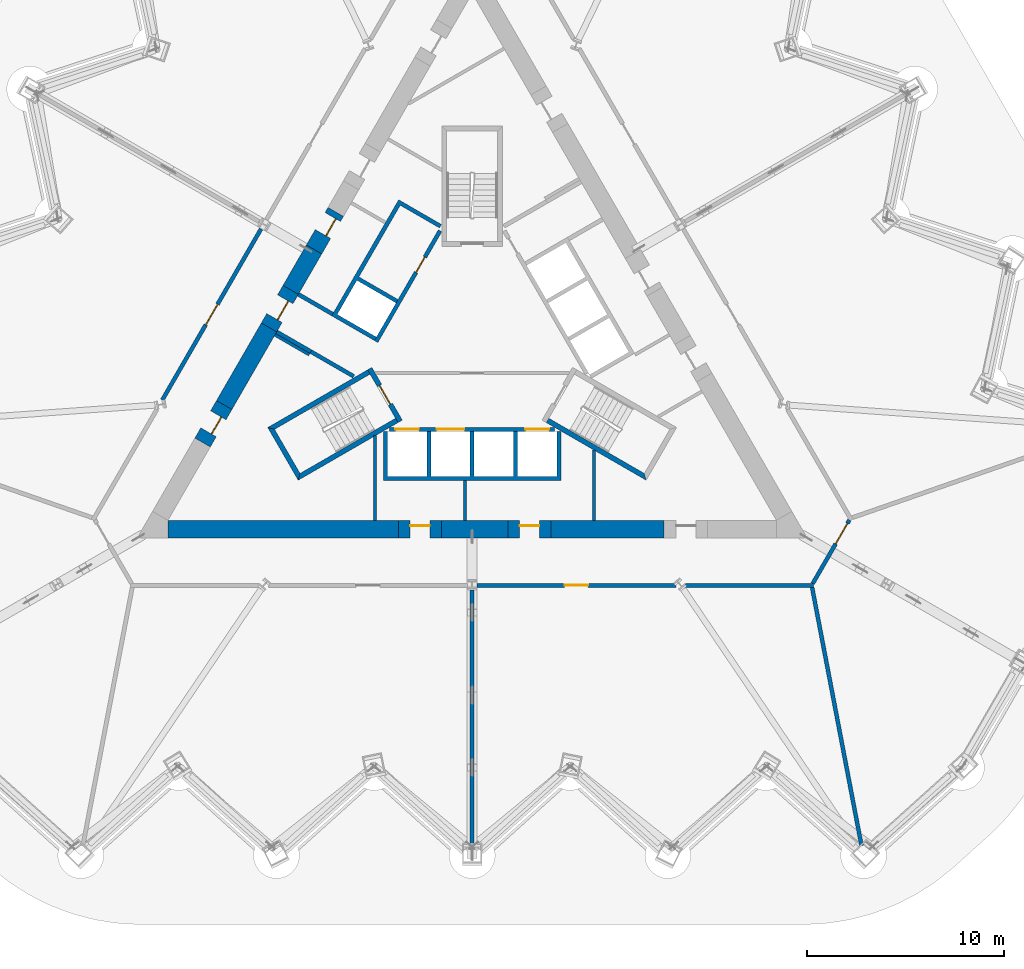
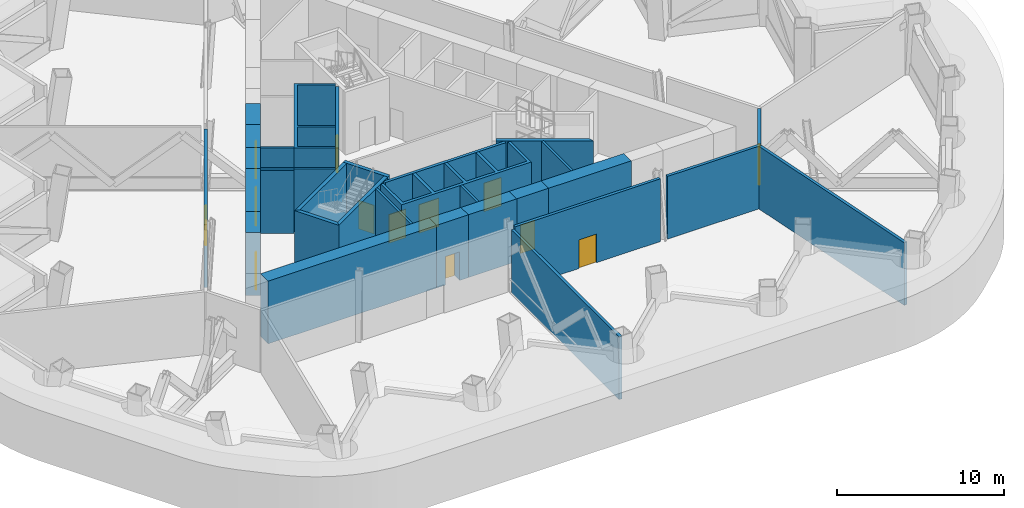
# One storey, part 5 of 14: 32 walls, 13 doors, 13 openings.
"""IFC4 building model written with IfcOpenShell, lengths in metres."""

from ifc_helpers import new_model, si_unit, direction, frame, frame_2d, origin, place, context, subcontext, project, spatial, polyline, rectangle, outline, extrude, material, layer, layer_set, type_object, element, fill, save


model = new_model("IFC4")

# Units and contexts
model_context = context("Model", 3, precision=1e-05, world=origin(), true_north=direction((0.0, 1.0)))
body_context = subcontext(model_context, "Body", "Model", "MODEL_VIEW")
ifc_project = project(units=[si_unit("LENGTHUNIT", "METRE"), si_unit("AREAUNIT", "SQUARE_METRE"), si_unit("VOLUMEUNIT", "CUBIC_METRE"), si_unit("PLANEANGLEUNIT", "RADIAN"), si_unit("MASSUNIT", "GRAM", prefix="KILO")], contexts=[model_context])

# Site, building, storey
site_placement = place(None, origin())
site = spatial("IfcSite", under=ifc_project, at=site_placement, CompositionType="ELEMENT")
building_placement = place(site_placement, origin())
building = spatial("IfcBuilding", under=site, at=building_placement, Name="Cormorant Prow Tower", CompositionType="ELEMENT")
storey_placement = place(building_placement, frame((0.0, 0.0, 94.60009765625)))
storey = spatial("IfcBuildingStorey", under=building, at=storey_placement, Name="L19", CompositionType="ELEMENT", Elevation=94.60009765625)

# Walls
ifc_material_1 = material(Name="Gypsum board partition")
ifc_layer_1 = layer(ifc_material_1, 0.14990234375)
ifc_layer_set_1 = layer_set([ifc_layer_1], Name="Gypsum board partition")
wall_type_1 = type_object("IfcWallType", Name="Core partition 150", PredefinedType="PARTITIONING", material=ifc_layer_set_1)
wall_1_placement = place(storey_placement, frame((-8.268310546875, -0.509033203125, 0.0), z_axis=(0.0, 0.0, 1.0), x_axis=(-0.866035824272, 0.499981950752, 0.0)))
element("IfcWall", 1, at=wall_1_placement, inside=storey, type_object=wall_type_1, Name="Service room partition", PredefinedType="PARTITIONING", context=body_context, shape_type="SweptSolid", body=[
    extrude(rectangle(XDim=2.0087890625, YDim=0.14990234375, at=frame_2d((1.00439453125, 0.0))), origin(), (0.0, 0.0, 1.0), 4.599853515625),
])
wall_2_placement = place(storey_placement, frame((6.176513671875, -8.9150390625, 0.0), z_axis=(0.0, 0.0, 1.0), x_axis=(0.0, 1.0, 0.0)))
element("IfcWall", 2, at=wall_2_placement, inside=storey, type_object=wall_type_1, Name="Service room partition", PredefinedType="PARTITIONING", context=body_context, shape_type="SweptSolid", body=[
    extrude(rectangle(XDim=3.576171875, YDim=0.14990234375, at=frame_2d((1.7880859375, 0.0))), origin(), (0.0, 0.0, 1.0), 4.599853515625),
])
wall_3_placement = place(storey_placement, frame((-0.361328125, -8.9150390625, 0.0), z_axis=(0.0, 0.0, 1.0), x_axis=(0.0, 1.0, 0.0)))
element("IfcWall", 3, at=wall_3_placement, inside=storey, type_object=wall_type_1, Name="Service room partition", PredefinedType="PARTITIONING", context=body_context, shape_type="SweptSolid", body=[
    extrude(rectangle(XDim=2.009033203125, YDim=0.14990234375, at=frame_2d((1.00439453125, 0.0))), origin(), (0.0, 0.0, 1.0), 4.599853515625),
])
wall_4_placement = place(storey_placement, frame((-4.937744140625, -8.9150390625, 0.0), z_axis=(0.0, 0.0, 1.0), x_axis=(0.0, 1.0, 0.0)))
element("IfcWall", 4, at=wall_4_placement, inside=storey, type_object=wall_type_1, Name="Service room partition", PredefinedType="PARTITIONING", context=body_context, shape_type="SweptSolid", body=[
    extrude(rectangle(XDim=4.291259765625, YDim=0.14990234375, at=frame_2d((2.1455078125, 0.0))), origin(), (0.0, 0.0, 1.0), 4.599853515625),
])
ifc_material_2 = material(Name="Concrete 8000 psi", Category="concrete")
ifc_layer_2 = layer(ifc_material_2, 0.89990234375)
ifc_layer_set_2 = layer_set([ifc_layer_2], Name="Concrete 8000 psi")
wall_type_2 = type_object("IfcWallType", Name="Core shear wall 900", PredefinedType="SHEAR", material=ifc_layer_set_2)
wall_5_placement = place(storey_placement, frame((-15.441162109375, -9.364990234375, 0.0), z_axis=(0.0, 0.0, 1.0), x_axis=(1.0, 0.0, 0.0)))
element("IfcWall", 5, at=wall_5_placement, inside=storey, type_object=wall_type_2, Name="Core wall", PredefinedType="SHEAR", context=body_context, shape_type="SweptSolid", body=[
    extrude(rectangle(XDim=11.691650390625, YDim=0.89990234375, at=frame_2d((5.845703125, 0.0))), origin(), (0.0, 0.0, 1.0), 4.599853515625),
])
wall_6_placement = place(storey_placement, frame((4.007568359375, -9.364990234375, 0.0), z_axis=(0.0, 0.0, 1.0), x_axis=(1.0, 0.0, 0.0)))
element("IfcWall", 6, at=wall_6_placement, inside=storey, type_object=wall_type_2, Name="Core wall", PredefinedType="SHEAR", context=body_context, shape_type="SweptSolid", body=[
    extrude(rectangle(XDim=5.73876953125, YDim=0.89990234375, at=frame_2d((2.869384765625, 0.0))), origin(), (0.0, 0.0, 1.0), 4.599853515625),
])
wall_7_placement = place(storey_placement, frame((-1.549560546875, -9.364990234375, 0.0), z_axis=(0.0, 0.0, 1.0), x_axis=(1.0, 0.0, 0.0)))
element("IfcWall", 7, at=wall_7_placement, inside=storey, type_object=wall_type_2, Name="Core wall", PredefinedType="SHEAR", context=body_context, shape_type="SweptSolid", body=[
    extrude(rectangle(XDim=3.357177734375, YDim=0.89990234375, at=frame_2d((1.6787109375, 0.0))), origin(), (0.0, 0.0, 1.0), 4.599853515625),
])
wall_8_placement = place(storey_placement, frame((-10.310302734375, 0.8720703125, 0.0), z_axis=(0.0, 0.0, 1.0), x_axis=(-0.499968858743, -0.866043382451, 0.0)))
element("IfcWall", 8, at=wall_8_placement, inside=storey, type_object=wall_type_2, Name="Core wall", PredefinedType="SHEAR", context=body_context, shape_type="SweptSolid", body=[
    extrude(rectangle(XDim=4.545654296875, YDim=0.89990234375, at=frame_2d((2.27294921875, 0.0))), origin(), (0.0, 0.0, 1.0), 4.599853515625),
])
wall_9_placement = place(storey_placement, frame((-8.0244140625, 4.831298828125, 0.0), z_axis=(0.0, 0.0, 1.0), x_axis=(-0.499936297302, -0.866062179431, 0.0)))
element("IfcWall", 9, at=wall_9_placement, inside=storey, type_object=wall_type_2, Name="Core wall", PredefinedType="SHEAR", context=body_context, shape_type="SweptSolid", body=[
    extrude(rectangle(XDim=2.371826171875, YDim=0.89990234375, at=frame_2d((1.18603515625, 0.0))), origin(), (0.0, 0.0, 1.0), 4.599853515625),
])

# Wall, opening, door
wall_10_placement = place(storey_placement, frame((-3.74951171875, -9.364990234375, 0.0), z_axis=(0.0, 0.0, 1.0), x_axis=(1.0, 0.0, 0.0)))
wall_10 = element("IfcWall", 10, at=wall_10_placement, inside=storey, type_object=wall_type_2, Name="Core wall door panel", PredefinedType="SHEAR", context=body_context, shape_type="SweptSolid", body=[
    extrude(rectangle(XDim=2.199951171875, YDim=0.89990234375, at=frame_2d((1.10009765625, 0.0))), origin(), (0.0, 0.0, 1.0), 4.599853515625),
])
opening_1_placement = place(wall_10_placement, frame((0.60009765625, 0.0, 0.0)))
opening_1 = element("IfcOpeningElement", 11, at=opening_1_placement, cuts=wall_10, Name="Opening L19-C10", PredefinedType="OPENING", context=body_context, shape_type="SweptSolid", body=[
    extrude(rectangle(XDim=1.0, YDim=2.10009765625, at=frame_2d((0.5, 1.050048828125))), frame((0.0, 0.4599609375, 0.0), z_axis=(0.0, -1.0, 0.0), x_axis=(1.0, 0.0, 0.0)), (0.0, 0.0, 1.0), 0.919921875),
])
ifc_material_3 = material(Name="Painted steel", Category="steel")
door_type_1 = type_object("IfcDoorType", Name="Service door 1000x2100", OperationType="NOTDEFINED", PredefinedType="DOOR", material=ifc_material_3)
door_1_placement = place(opening_1_placement, origin())
door_1 = element("IfcDoor", 12, at=door_1_placement, inside=storey, type_object=door_type_1, Name="Core door, Plant maintenance store", OperationType="SINGLE_SWING_LEFT", OverallHeight=2.10009765625, OverallWidth=1.0, PredefinedType="DOOR", context=body_context, shape_type="SweptSolid", body=[
    extrude(rectangle(XDim=1.0, YDim=2.10009765625, at=frame_2d((0.5, 1.050048828125))), frame((0.0, 0.205078125, 0.0), z_axis=(0.0, -1.0, 0.0), x_axis=(1.0, 0.0, 0.0)), (0.0, 0.0, 1.0), 0.050048828125),
])
fill(opening_1, door_1)

wall_11_placement = place(storey_placement, frame((1.8076171875, -9.364990234375, 0.0), z_axis=(0.0, 0.0, 1.0), x_axis=(1.0, 0.0, 0.0)))
wall_11 = element("IfcWall", 13, at=wall_11_placement, inside=storey, type_object=wall_type_2, Name="Core wall door panel", PredefinedType="SHEAR", context=body_context, shape_type="SweptSolid", body=[
    extrude(rectangle(XDim=2.199951171875, YDim=0.89990234375, at=frame_2d((1.10009765625, 0.0))), origin(), (0.0, 0.0, 1.0), 4.599853515625),
])
opening_2_placement = place(wall_11_placement, frame((0.60009765625, 0.0, 0.0)))
opening_2 = element("IfcOpeningElement", 14, at=opening_2_placement, cuts=wall_11, Name="Opening L19-C11", PredefinedType="OPENING", context=body_context, shape_type="SweptSolid", body=[
    extrude(rectangle(XDim=1.0, YDim=2.10009765625, at=frame_2d((0.5, 1.050048828125))), frame((0.0, 0.4599609375, 0.0), z_axis=(0.0, -1.0, 0.0), x_axis=(1.0, 0.0, 0.0)), (0.0, 0.0, 1.0), 0.919921875),
])
door_2_placement = place(opening_2_placement, origin())
door_2 = element("IfcDoor", 15, at=door_2_placement, inside=storey, type_object=door_type_1, Name="Core door, Electrical switch room", OperationType="SINGLE_SWING_LEFT", OverallHeight=2.10009765625, OverallWidth=1.0, PredefinedType="DOOR", context=body_context, shape_type="SweptSolid", body=[
    extrude(rectangle(XDim=1.0, YDim=2.10009765625, at=frame_2d((0.5, 1.050048828125))), frame((0.0, 0.205078125, 0.0), z_axis=(0.0, -1.0, 0.0), x_axis=(1.0, 0.0, 0.0)), (0.0, 0.0, 1.0), 0.050048828125),
])
fill(opening_2, door_2)

wall_12_placement = place(storey_placement, frame((-12.5830078125, -3.064697265625, 0.0), z_axis=(0.0, 0.0, 1.0), x_axis=(-0.50002983664, -0.866008176907, 0.0)))
wall_12 = element("IfcWall", 16, at=wall_12_placement, inside=storey, type_object=wall_type_2, Name="Core wall door panel", PredefinedType="SHEAR", context=body_context, shape_type="SweptSolid", body=[
    extrude(rectangle(XDim=2.199951171875, YDim=0.89990234375, at=frame_2d((1.10009765625, 0.0))), origin(), (0.0, 0.0, 1.0), 4.599853515625),
])
opening_3_placement = place(wall_12_placement, frame((0.60009765625, 0.0, 0.0)))
opening_3 = element("IfcOpeningElement", 17, at=opening_3_placement, cuts=wall_12, Name="Opening L19-C13", PredefinedType="OPENING", context=body_context, shape_type="SweptSolid", body=[
    extrude(rectangle(XDim=1.0, YDim=2.10009765625, at=frame_2d((0.5, 1.050048828125))), frame((0.0, 0.4599609375, 0.0), z_axis=(0.0, -1.0, 0.0), x_axis=(1.0, 0.0, 0.0)), (0.0, 0.0, 1.0), 0.919921875),
])
door_3_placement = place(opening_3_placement, origin())
door_3 = element("IfcDoor", 18, at=door_3_placement, inside=storey, type_object=door_type_1, Name="Core door, Plant waste store", OperationType="SINGLE_SWING_LEFT", OverallHeight=2.10009765625, OverallWidth=1.0, PredefinedType="DOOR", context=body_context, shape_type="SweptSolid", body=[
    extrude(rectangle(XDim=1.0, YDim=2.10009765625, at=frame_2d((0.5, 1.050048828125))), frame((0.0, 0.205078125, 0.0), z_axis=(0.0, -1.0, 0.0), x_axis=(1.0, 0.0, 0.0)), (0.0, 0.0, 1.0), 0.050048828125),
])
fill(opening_3, door_3)

wall_13_placement = place(storey_placement, frame((-6.92431640625, 6.736572265625, 0.0), z_axis=(0.0, 0.0, 1.0), x_axis=(-0.50002983664, -0.866008176907, 0.0)))
wall_13 = element("IfcWall", 19, at=wall_13_placement, inside=storey, type_object=wall_type_2, Name="Core wall door panel", PredefinedType="SHEAR", context=body_context, shape_type="SweptSolid", body=[
    extrude(rectangle(XDim=2.199951171875, YDim=0.89990234375, at=frame_2d((1.10009765625, 0.0))), origin(), (0.0, 0.0, 1.0), 4.599853515625),
])
opening_4_placement = place(wall_13_placement, frame((0.300048828125, 0.0, 0.0)))
opening_4 = element("IfcOpeningElement", 20, at=opening_4_placement, cuts=wall_13, Name="Opening L19-C16", PredefinedType="OPENING", context=body_context, shape_type="SweptSolid", body=[
    extrude(rectangle(XDim=1.0, YDim=2.10009765625, at=frame_2d((0.5, 1.050048828125))), frame((0.0, 0.4599609375, 0.0), z_axis=(0.0, -1.0, 0.0), x_axis=(1.0, 0.0, 0.0)), (0.0, 0.0, 1.0), 0.919921875),
])
door_4_placement = place(opening_4_placement, origin())
door_4 = element("IfcDoor", 21, at=door_4_placement, inside=storey, type_object=door_type_1, Name="Core door, Plant spares store", OperationType="SINGLE_SWING_LEFT", OverallHeight=2.10009765625, OverallWidth=1.0, PredefinedType="DOOR", context=body_context, shape_type="SweptSolid", body=[
    extrude(rectangle(XDim=1.0, YDim=2.10009765625, at=frame_2d((0.5, 1.050048828125))), frame((0.0, 0.205078125, 0.0), z_axis=(0.0, -1.0, 0.0), x_axis=(1.0, 0.0, 0.0)), (0.0, 0.0, 1.0), 0.050048828125),
])
fill(opening_4, door_4)

wall_14_placement = place(storey_placement, frame((-9.210205078125, 2.777099609375, 0.0), z_axis=(0.0, 0.0, 1.0), x_axis=(-0.500077893725, -0.86598042715, 0.0)))
wall_14 = element("IfcWall", 22, at=wall_14_placement, inside=storey, type_object=wall_type_2, Name="Core wall door panel", PredefinedType="SHEAR", context=body_context, shape_type="SweptSolid", body=[
    extrude(rectangle(XDim=2.199951171875, YDim=0.89990234375, at=frame_2d((1.10009765625, 0.0))), origin(), (0.0, 0.0, 1.0), 4.599853515625),
])
opening_5_placement = place(wall_14_placement, frame((0.550048828125, 0.0, 0.0)))
opening_5 = element("IfcOpeningElement", 23, at=opening_5_placement, cuts=wall_14, Name="Opening L19-C20", PredefinedType="OPENING", context=body_context, shape_type="SweptSolid", body=[
    extrude(rectangle(XDim=1.10009765625, YDim=2.10009765625, at=frame_2d((0.550048828125, 1.050048828125))), frame((0.0, 0.4599609375, 0.0), z_axis=(0.0, -1.0, 0.0), x_axis=(1.0, 0.0, 0.0)), (0.0, 0.0, 1.0), 0.919921875),
])
ifc_material_4 = material(Name="Painted steel", Category="steel")
door_type_2 = type_object("IfcDoorType", Name="Core door 1100x2100", OperationType="NOTDEFINED", PredefinedType="DOOR", material=ifc_material_4)
door_5_placement = place(opening_5_placement, origin())
door_5 = element("IfcDoor", 24, at=door_5_placement, inside=storey, type_object=door_type_2, Name="Core door, lift lobby", OperationType="SINGLE_SWING_RIGHT", OverallHeight=2.10009765625, OverallWidth=1.10009765625, PredefinedType="DOOR", context=body_context, shape_type="SweptSolid", body=[
    extrude(rectangle(XDim=1.10009765625, YDim=2.10009765625, at=frame_2d((0.550048828125, 1.050048828125))), frame((0.0, 0.205078125, 0.0), z_axis=(0.0, -1.0, 0.0), x_axis=(1.0, 0.0, 0.0)), (0.0, 0.0, 1.0), 0.050048828125),
])
fill(opening_5, door_5)

ifc_material_5 = material(Name="Gypsum board corridor wall")
ifc_layer_3 = layer(ifc_material_5, 0.199951171875)
ifc_layer_set_3 = layer_set([ifc_layer_3], Name="Gypsum board corridor wall")
wall_type_3 = type_object("IfcWallType", Name="Corridor wall 200", PredefinedType="PARTITIONING", material=ifc_layer_set_3)
wall_15_placement = place(storey_placement, frame((0.2421875, -12.215087890625, 0.0), z_axis=(0.0, 0.0, 1.0), x_axis=(1.0, 0.0, 0.0)))
wall_15 = element("IfcWall", 25, at=wall_15_placement, inside=storey, type_object=wall_type_3, Name="Corridor wall", PredefinedType="PARTITIONING", context=body_context, shape_type="SweptSolid", body=[
    extrude(rectangle(XDim=10.093994140625, YDim=0.199951171875, at=frame_2d((5.046875, 0.0))), origin(), (0.0, 0.0, 1.0), 4.599853515625),
])
opening_6_placement = place(wall_15_placement, frame((4.447021484375, 0.0, 0.0)))
opening_6 = element("IfcOpeningElement", 26, at=opening_6_placement, cuts=wall_15, Name="Opening L19-F02", PredefinedType="OPENING", context=body_context, shape_type="SweptSolid", body=[
    extrude(rectangle(XDim=1.199951171875, YDim=2.10009765625, at=frame_2d((0.60009765625, 1.050048828125))), frame((0.0, 0.10986328125, 0.0), z_axis=(0.0, -1.0, 0.0), x_axis=(1.0, 0.0, 0.0)), (0.0, 0.0, 1.0), 0.219970703125),
])
ifc_material_6 = material(Name="Timber door leaf", Category="wood")
door_type_3 = type_object("IfcDoorType", Name="Plant room door 1200x2100", OperationType="NOTDEFINED", PredefinedType="DOOR", material=ifc_material_6)
door_6_placement = place(opening_6_placement, origin())
door_6 = element("IfcDoor", 27, at=door_6_placement, inside=storey, type_object=door_type_3, Name="Telecoms and server room door", OperationType="SINGLE_SWING_RIGHT", OverallHeight=2.10009765625, OverallWidth=1.199951171875, PredefinedType="DOOR", context=body_context, shape_type="SweptSolid", body=[
    extrude(rectangle(XDim=1.199951171875, YDim=2.10009765625, at=frame_2d((0.60009765625, 1.050048828125))), frame((0.0, 0.02490234375, 0.0), z_axis=(0.0, -1.0, 0.0), x_axis=(1.0, 0.0, 0.0)), (0.0, 0.0, 1.0), 0.050048828125),
])
fill(opening_6, door_6)

wall_16_placement = place(storey_placement, frame((-15.727783203125, -2.811279296875, 0.0), z_axis=(0.0, 0.0, 1.0), x_axis=(0.49999175339, 0.866030164915, 0.0)))
wall_16 = element("IfcWall", 28, at=wall_16_placement, inside=storey, type_object=wall_type_3, Name="Corridor wall", PredefinedType="PARTITIONING", context=body_context, shape_type="SweptSolid", body=[
    extrude(rectangle(XDim=10.018798828125, YDim=0.199951171875, at=frame_2d((5.00927734375, 0.0))), origin(), (0.0, 0.0, 1.0), 4.599853515625),
])
opening_7_placement = place(wall_16_placement, frame((4.409423828125, 0.0, 0.0)))
opening_7 = element("IfcOpeningElement", 29, at=opening_7_placement, cuts=wall_16, Name="Opening L19-F05", PredefinedType="OPENING", context=body_context, shape_type="SweptSolid", body=[
    extrude(rectangle(XDim=1.199951171875, YDim=2.10009765625, at=frame_2d((0.60009765625, 1.050048828125))), frame((0.0, 0.10986328125, 0.0), z_axis=(0.0, -1.0, 0.0), x_axis=(1.0, 0.0, 0.0)), (0.0, 0.0, 1.0), 0.219970703125),
])
door_7_placement = place(opening_7_placement, origin())
door_7 = element("IfcDoor", 30, at=door_7_placement, inside=storey, type_object=door_type_3, Name="Sprinkler pump room door", OperationType="SINGLE_SWING_LEFT", OverallHeight=2.10009765625, OverallWidth=1.199951171875, PredefinedType="DOOR", context=body_context, shape_type="SweptSolid", body=[
    extrude(rectangle(XDim=1.199951171875, YDim=2.10009765625, at=frame_2d((0.60009765625, 1.050048828125))), frame((0.0, 0.02490234375, 0.0), z_axis=(0.0, -1.0, 0.0), x_axis=(1.0, 0.0, 0.0)), (0.0, 0.0, 1.0), 0.050048828125),
])
fill(opening_7, door_7)

# Wall
wall_17_placement = place(storey_placement, frame((10.82080078125, -12.215087890625, 0.0), z_axis=(0.0, 0.0, 1.0), x_axis=(1.0, 0.0, 0.0)))
element("IfcWall", 31, at=wall_17_placement, inside=storey, type_object=wall_type_3, Name="Corridor wall", PredefinedType="PARTITIONING", context=body_context, shape_type="SweptSolid", body=[
    extrude(rectangle(XDim=6.510009765625, YDim=0.199951171875, at=frame_2d((3.2548828125, 0.0))), origin(), (0.0, 0.0, 1.0), 4.599853515625),
])

# Wall, opening, door
wall_18_placement = place(storey_placement, frame((17.281005859375, -12.12841796875, 0.0), z_axis=(0.0, 0.0, 1.0), x_axis=(0.499958791762, 0.866049194065, 0.0)))
wall_18 = element("IfcWall", 32, at=wall_18_placement, inside=storey, type_object=wall_type_3, Name="Corridor wall", PredefinedType="PARTITIONING", context=body_context, shape_type="SweptSolid", body=[
    extrude(rectangle(XDim=3.725830078125, YDim=0.199951171875, at=frame_2d((1.86279296875, 0.0))), origin(), (0.0, 0.0, 1.0), 4.599853515625),
])
opening_8_placement = place(wall_18_placement, frame((2.324951171875, 0.0, 0.0)))
opening_8 = element("IfcOpeningElement", 33, at=opening_8_placement, cuts=wall_18, Name="Opening L19-F04", PredefinedType="OPENING", context=body_context, shape_type="SweptSolid", body=[
    extrude(rectangle(XDim=1.199951171875, YDim=2.10009765625, at=frame_2d((0.60009765625, 1.050048828125))), frame((0.0, 0.10986328125, 0.0), z_axis=(0.0, -1.0, 0.0), x_axis=(1.0, 0.0, 0.0)), (0.0, 0.0, 1.0), 0.219970703125),
])
door_8_placement = place(opening_8_placement, origin())
door_8 = element("IfcDoor", 34, at=door_8_placement, inside=storey, type_object=door_type_3, Name="Generator room door", OperationType="SINGLE_SWING_RIGHT", OverallHeight=2.10009765625, OverallWidth=1.199951171875, PredefinedType="DOOR", context=body_context, shape_type="SweptSolid", body=[
    extrude(rectangle(XDim=1.199951171875, YDim=2.10009765625, at=frame_2d((0.60009765625, 1.050048828125))), frame((0.0, 0.02490234375, 0.0), z_axis=(0.0, -1.0, 0.0), x_axis=(1.0, 0.0, 0.0)), (0.0, 0.0, 1.0), 0.050048828125),
])
fill(opening_8, door_8)

# Walls
ifc_material_7 = material(Name="Gypsum board demising wall")
ifc_layer_4 = layer(ifc_material_7, 0.199951171875)
ifc_layer_set_4 = layer_set([ifc_layer_4], Name="Gypsum board demising wall")
wall_type_4 = type_object("IfcWallType", Name="Demising wall 200", PredefinedType="PARTITIONING", material=ifc_layer_set_4)
wall_19_placement = place(storey_placement, frame((17.249755859375, -12.313232421875, 0.0), z_axis=(0.0, 0.0, 1.0), x_axis=(0.187873651286, -0.982193204595, 0.0)))
element("IfcWall", 35, at=wall_19_placement, inside=storey, type_object=wall_type_4, Name="Demising wall", PredefinedType="PARTITIONING", context=body_context, shape_type="SweptSolid", body=[
    extrude(rectangle(XDim=13.345703125, YDim=0.199951171875, at=frame_2d((6.6728515625, 0.0))), origin(), (0.0, 0.0, 1.0), 4.599853515625),
])
wall_20_placement = place(storey_placement, frame((0.0, -25.42138671875, 0.0), z_axis=(0.0, 0.0, 1.0), x_axis=(0.0, 1.0, 0.0)))
element("IfcWall", 36, at=wall_20_placement, inside=storey, type_object=wall_type_4, Name="Demising wall", PredefinedType="PARTITIONING", context=body_context, shape_type="SweptSolid", body=[
    extrude(rectangle(XDim=12.964111328125, YDim=0.199951171875, at=frame_2d((6.48193359375, 0.0))), origin(), (0.0, 0.0, 1.0), 4.599853515625),
])

# Wall, openings, doors
ifc_material_8 = material(Name="Concrete 5000 psi", Category="concrete")
ifc_layer_5 = layer(ifc_material_8, 0.199951171875)
ifc_layer_set_5 = layer_set([ifc_layer_5], Name="Concrete 5000 psi")
wall_type_5 = type_object("IfcWallType", Name="Lift lobby wall 200", PredefinedType="SOLIDWALL", material=ifc_layer_set_5)
wall_21_placement = place(storey_placement, frame((-4.1865234375, -4.300048828125, 0.0), z_axis=(0.0, 0.0, 1.0), x_axis=(1.0, 0.0, 0.0)))
wall_21 = element("IfcWall", 37, at=wall_21_placement, inside=storey, type_object=wall_type_5, Name="Lift lobby wall, S block", PredefinedType="SOLIDWALL", context=body_context, shape_type="SweptSolid", body=[
    extrude(rectangle(XDim=8.373046875, YDim=0.199951171875, at=frame_2d((4.1865234375, 0.0))), origin(), (0.0, 0.0, 1.0), 4.599853515625),
])
opening_9_placement = place(wall_21_placement, frame((0.28662109375, 0.0, 0.0)))
opening_9 = element("IfcOpeningElement", 38, at=opening_9_placement, cuts=wall_21, Name="Opening L19-C01", PredefinedType="OPENING", context=body_context, shape_type="SweptSolid", body=[
    extrude(rectangle(XDim=1.199951171875, YDim=2.10009765625, at=frame_2d((0.60009765625, 1.050048828125))), frame((0.0, 0.10986328125, 0.0), z_axis=(0.0, -1.0, 0.0), x_axis=(1.0, 0.0, 0.0)), (0.0, 0.0, 1.0), 0.219970703125),
])
opening_10_placement = place(wall_21_placement, frame((2.38671875, 0.0, 0.0)))
opening_10 = element("IfcOpeningElement", 39, at=opening_10_placement, cuts=wall_21, Name="Opening L19-C02", PredefinedType="OPENING", context=body_context, shape_type="SweptSolid", body=[
    extrude(rectangle(XDim=1.39990234375, YDim=2.10009765625, at=frame_2d((0.699951171875, 1.050048828125))), frame((0.0, 0.10986328125, 0.0), z_axis=(0.0, -1.0, 0.0), x_axis=(1.0, 0.0, 0.0)), (0.0, 0.0, 1.0), 0.219970703125),
])
opening_11_placement = place(wall_21_placement, frame((6.88671875, 0.0, 0.0)))
opening_11 = element("IfcOpeningElement", 40, at=opening_11_placement, cuts=wall_21, Name="Opening L19-C03", PredefinedType="OPENING", context=body_context, shape_type="SweptSolid", body=[
    extrude(rectangle(XDim=1.199951171875, YDim=2.10009765625, at=frame_2d((0.60009765625, 1.050048828125))), frame((0.0, 0.10986328125, 0.0), z_axis=(0.0, -1.0, 0.0), x_axis=(1.0, 0.0, 0.0)), (0.0, 0.0, 1.0), 0.219970703125),
])
ifc_material_9 = material(Name="Painted steel", Category="steel")
door_type_4 = type_object("IfcDoorType", Name="Firefighting lift landing door 1200x2100", OperationType="SLIDING_TO_LEFT", PredefinedType="DOOR", material=ifc_material_9)
door_9_placement = place(opening_9_placement, origin())
door_9 = element("IfcDoor", 41, at=door_9_placement, inside=storey, type_object=door_type_4, Name="Landing door FL1", OperationType="SLIDING_TO_LEFT", OverallHeight=2.10009765625, OverallWidth=1.199951171875, PredefinedType="DOOR", context=body_context, shape_type="SweptSolid", body=[
    extrude(rectangle(XDim=1.199951171875, YDim=2.10009765625, at=frame_2d((0.60009765625, 1.050048828125))), frame((0.0, 0.02490234375, 0.0), z_axis=(0.0, -1.0, 0.0), x_axis=(1.0, 0.0, 0.0)), (0.0, 0.0, 1.0), 0.050048828125),
])
fill(opening_9, door_9)
door_10_placement = place(opening_11_placement, origin())
door_10 = element("IfcDoor", 42, at=door_10_placement, inside=storey, type_object=door_type_4, Name="Landing door FL2", OperationType="SLIDING_TO_LEFT", OverallHeight=2.10009765625, OverallWidth=1.199951171875, PredefinedType="DOOR", context=body_context, shape_type="SweptSolid", body=[
    extrude(rectangle(XDim=1.199951171875, YDim=2.10009765625, at=frame_2d((0.60009765625, 1.050048828125))), frame((0.0, 0.02490234375, 0.0), z_axis=(0.0, -1.0, 0.0), x_axis=(1.0, 0.0, 0.0)), (0.0, 0.0, 1.0), 0.050048828125),
])
fill(opening_11, door_10)
ifc_material_10 = material(Name="Painted steel", Category="steel")
door_type_5 = type_object("IfcDoorType", Name="Service lift landing door 1400x2100", OperationType="SLIDING_TO_LEFT", PredefinedType="DOOR", material=ifc_material_10)
door_11_placement = place(opening_10_placement, origin())
door_11 = element("IfcDoor", 43, at=door_11_placement, inside=storey, type_object=door_type_5, Name="Landing door SL1", OperationType="SLIDING_TO_LEFT", OverallHeight=2.10009765625, OverallWidth=1.39990234375, PredefinedType="DOOR", context=body_context, shape_type="SweptSolid", body=[
    extrude(rectangle(XDim=1.39990234375, YDim=2.10009765625, at=frame_2d((0.699951171875, 1.050048828125))), frame((0.0, 0.02490234375, 0.0), z_axis=(0.0, -1.0, 0.0), x_axis=(1.0, 0.0, 0.0)), (0.0, 0.0, 1.0), 0.050048828125),
])
fill(opening_10, door_11)

# Wall, opening, door
wall_22_placement = place(storey_placement, frame((-1.630615234375, 5.775634765625, 0.0), z_axis=(0.0, 0.0, 1.0), x_axis=(-0.499992876559, -0.866029516466, 0.0)))
wall_22 = element("IfcWall", 44, at=wall_22_placement, inside=storey, type_object=wall_type_5, Name="Lift lobby wall, WNW block", PredefinedType="SOLIDWALL", context=body_context, shape_type="SweptSolid", body=[
    extrude(rectangle(XDim=6.486328125, YDim=0.199951171875, at=frame_2d((3.2431640625, 0.0))), origin(), (0.0, 0.0, 1.0), 4.599853515625),
])
opening_12_placement = place(wall_22_placement, frame((1.53662109375, 0.0, 0.0)))
opening_12 = element("IfcOpeningElement", 45, at=opening_12_placement, cuts=wall_22, Name="Opening L19-C05", PredefinedType="OPENING", context=body_context, shape_type="SweptSolid", body=[
    extrude(rectangle(XDim=0.89990234375, YDim=2.10009765625, at=frame_2d((0.449951171875, 1.050048828125))), frame((0.0, 0.10986328125, 0.0), z_axis=(0.0, -1.0, 0.0), x_axis=(1.0, 0.0, 0.0)), (0.0, 0.0, 1.0), 0.219970703125),
])
ifc_material_11 = material(Name="Painted steel", Category="steel")
door_type_6 = type_object("IfcDoorType", Name="Service door 900x2100", OperationType="NOTDEFINED", PredefinedType="DOOR", material=ifc_material_11)
door_12_placement = place(opening_12_placement, origin())
door_12 = element("IfcDoor", 46, at=door_12_placement, inside=storey, type_object=door_type_6, Name="Service door, Plant spares store", OperationType="SINGLE_SWING_LEFT", OverallHeight=2.10009765625, OverallWidth=0.89990234375, PredefinedType="DOOR", context=body_context, shape_type="SweptSolid", body=[
    extrude(rectangle(XDim=0.89990234375, YDim=2.10009765625, at=frame_2d((0.449951171875, 1.050048828125))), frame((0.0, 0.02490234375, 0.0), z_axis=(0.0, -1.0, 0.0), x_axis=(1.0, 0.0, 0.0)), (0.0, 0.0, 1.0), 0.050048828125),
])
fill(opening_12, door_12)

# Walls
ifc_material_12 = material(Name="Concrete 8000 psi", Category="concrete")
ifc_layer_6 = layer(ifc_material_12, 0.199951171875)
ifc_layer_set_6 = layer_set([ifc_layer_6], Name="Concrete 8000 psi")
wall_type_6 = type_object("IfcWallType", Name="Lift shaft wall 200", PredefinedType="SHEAR", material=ifc_layer_set_6)
wall_23_placement = place(storey_placement, origin())
element("IfcWall", 47, at=wall_23_placement, inside=storey, type_object=wall_type_6, Name="Lift shaft walls, S block", PredefinedType="SHEAR", context=body_context, shape_type="SweptSolid", body=[
    extrude(outline(polyline([(4.5, -4.39990234375), (4.5, -6.906005859375), (-4.5, -6.906005859375), (-4.5, -4.39990234375), (-4.300048828125, -4.39990234375), (-4.300048828125, -6.699951171875), (-2.300048828125, -6.699951171875), (-2.300048828125, -4.39990234375), (-2.10009765625, -4.39990234375), (-2.10009765625, -6.699951171875), (-0.10009765625, -6.699951171875), (-0.10009765625, -4.39990234375), (0.10009765625, -4.39990234375), (0.10009765625, -6.699951171875), (2.10009765625, -6.699951171875), (2.10009765625, -4.39990234375), (2.300048828125, -4.39990234375), (2.300048828125, -6.699951171875), (4.300048828125, -6.699951171875), (4.300048828125, -4.39990234375), (4.5, -4.39990234375)])), origin(), (0.0, 0.0, 1.0), 4.599853515625),
])
wall_24_placement = place(storey_placement, origin())
element("IfcWall", 48, at=wall_24_placement, inside=storey, type_object=wall_type_6, Name="Lift shaft walls, WNW block", PredefinedType="SHEAR", context=body_context, shape_type="SweptSolid", body=[
    extrude(outline(polyline([(-6.060546875, -1.697021484375), (-8.230712890625, -0.444091796875), (-8.130859375, -0.27099609375), (-5.96044921875, -1.52392578125), (-6.060546875, -1.697021484375)])), origin(), (0.0, 0.0, 1.0), 4.599853515625),
])
wall_25_placement = place(storey_placement, origin())
element("IfcWall", 49, at=wall_25_placement, inside=storey, type_object=wall_type_6, Name="Lift shaft walls, WNW block", PredefinedType="SHEAR", context=body_context, shape_type="SweptSolid", body=[
    extrude(outline(polyline([(-4.96044921875, 0.2080078125), (-7.130859375, 1.461181640625), (-3.730712890625, 7.35009765625), (-1.560546875, 6.09716796875), (-1.660400390625, 5.923828125), (-3.65234375, 7.073974609375), (-5.75244140625, 3.4365234375), (-3.760498046875, 2.28662109375), (-3.860595703125, 2.11328125), (-5.852294921875, 3.263427734375), (-6.852294921875, 1.53125), (-4.860595703125, 0.38134765625), (-4.96044921875, 0.2080078125)])), origin(), (0.0, 0.0, 1.0), 4.599853515625),
])
wall_26_placement = place(storey_placement, frame((-7.080810546875, 1.547607421875, 0.0), z_axis=(0.0, 0.0, 1.0), x_axis=(-0.865983199114, 0.50007309351, 0.0)))
element("IfcWall", 50, at=wall_26_placement, inside=storey, type_object=wall_type_6, Name="Lobby passage wall", PredefinedType="SHEAR", context=body_context, shape_type="SweptSolid", body=[
    extrude(rectangle(XDim=2.009033203125, YDim=0.199951171875, at=frame_2d((1.00439453125, 0.0))), origin(), (0.0, 0.0, 1.0), 4.599853515625),
])
wall_27_placement = place(storey_placement, frame((-8.180908203125, -0.357421875, 0.0), z_axis=(0.0, 0.0, 1.0), x_axis=(-0.866035824272, 0.499981950752, 0.0)))
element("IfcWall", 51, at=wall_27_placement, inside=storey, type_object=wall_type_6, Name="Lobby passage wall", PredefinedType="SHEAR", context=body_context, shape_type="SweptSolid", body=[
    extrude(rectangle(XDim=2.0087890625, YDim=0.199951171875, at=frame_2d((1.00439453125, 0.0))), origin(), (0.0, 0.0, 1.0), 4.599853515625),
])
ifc_material_13 = material(Name="Concrete 8000 psi", Category="concrete")
ifc_layer_7 = layer(ifc_material_13, 0.25)
ifc_layer_set_7 = layer_set([ifc_layer_7], Name="Concrete 8000 psi")
wall_type_7 = type_object("IfcWallType", Name="Stair wall 250", PredefinedType="SHEAR", material=ifc_layer_set_7)
wall_28_placement = place(storey_placement, origin())
element("IfcWall", 52, at=wall_28_placement, inside=storey, type_object=wall_type_7, Name="Stair ST1 enclosure wall (flank)", PredefinedType="SHEAR", context=body_context, shape_type="SweptSolid", body=[
    extrude(outline(polyline([(-5.30712890625, -1.28125), (-10.37353515625, -4.206298828125), (-10.031982421875, -4.2978515625), (-5.18212890625, -1.497802734375), (-5.30712890625, -1.28125)])), origin(), (0.0, 0.0, 1.0), 4.599853515625),
])
wall_29_placement = place(storey_placement, origin())
element("IfcWall", 53, at=wall_29_placement, inside=storey, type_object=wall_type_7, Name="Stair ST1 enclosure wall (end)", PredefinedType="SHEAR", context=body_context, shape_type="SweptSolid", body=[
    extrude(outline(polyline([(-10.37353515625, -4.206298828125), (-8.82958984375, -6.880615234375), (-8.738037109375, -6.5390625), (-10.031982421875, -4.2978515625), (-10.37353515625, -4.206298828125)])), origin(), (0.0, 0.0, 1.0), 4.599853515625),
])
wall_30_placement = place(storey_placement, origin())
element("IfcWall", 54, at=wall_30_placement, inside=storey, type_object=wall_type_7, Name="Stair ST1 enclosure wall (flank)", PredefinedType="SHEAR", context=body_context, shape_type="SweptSolid", body=[
    extrude(outline(polyline([(-8.738037109375, -6.5390625), (-8.82958984375, -6.880615234375), (-3.76318359375, -3.95556640625), (-3.88818359375, -3.739013671875), (-8.738037109375, -6.5390625)])), origin(), (0.0, 0.0, 1.0), 4.599853515625),
])

# Wall, opening, door
wall_31_placement = place(storey_placement, frame((-5.198974609375, -1.21875, 0.0), z_axis=(0.0, 0.0, 1.0), x_axis=(0.499982516597, -0.866035497597, 0.0)))
wall_31 = element("IfcWall", 55, at=wall_31_placement, inside=storey, type_object=wall_type_7, Name="Stair ST1 door wall", PredefinedType="SHEAR", context=body_context, shape_type="SweptSolid", body=[
    extrude(rectangle(XDim=3.087890625, YDim=0.25, at=frame_2d((1.5439453125, 0.0))), origin(), (0.0, 0.0, 1.0), 4.599853515625),
])
opening_13_placement = place(wall_31_placement, frame((0.993896484375, 0.0, 0.0)))
opening_13 = element("IfcOpeningElement", 56, at=opening_13_placement, cuts=wall_31, Name="Opening L19-C07", PredefinedType="OPENING", context=body_context, shape_type="SweptSolid", body=[
    extrude(rectangle(XDim=1.10009765625, YDim=2.10009765625, at=frame_2d((0.550048828125, 1.050048828125))), frame((0.0, 0.135009765625, 0.0), z_axis=(0.0, -1.0, 0.0), x_axis=(1.0, 0.0, 0.0)), (0.0, 0.0, 1.0), 0.27001953125),
])
ifc_material_14 = material(Name="Painted steel", Category="steel")
door_type_7 = type_object("IfcDoorType", Name="Stair door 1100x2100", OperationType="NOTDEFINED", PredefinedType="DOOR", material=ifc_material_14)
door_13_placement = place(opening_13_placement, origin())
door_13 = element("IfcDoor", 57, at=door_13_placement, inside=storey, type_object=door_type_7, Name="Stair ST1 door", OperationType="SINGLE_SWING_LEFT", OverallHeight=2.10009765625, OverallWidth=1.10009765625, PredefinedType="DOOR", context=body_context, shape_type="SweptSolid", body=[
    extrude(rectangle(XDim=1.10009765625, YDim=2.10009765625, at=frame_2d((0.550048828125, 1.050048828125))), frame((0.0, 0.02490234375, 0.0), z_axis=(0.0, -1.0, 0.0), x_axis=(1.0, 0.0, 0.0)), (0.0, 0.0, 1.0), 0.050048828125),
])
fill(opening_13, door_13)

# Wall
wall_32_placement = place(storey_placement, origin())
element("IfcWall", 58, at=wall_32_placement, inside=storey, type_object=wall_type_7, Name="Stair ST2 enclosure wall (flank)", PredefinedType="SHEAR", context=body_context, shape_type="SweptSolid", body=[
    extrude(outline(polyline([(3.76318359375, -3.95556640625), (8.82958984375, -6.880615234375), (8.738037109375, -6.5390625), (3.88818359375, -3.739013671875), (3.76318359375, -3.95556640625)])), origin(), (0.0, 0.0, 1.0), 4.599853515625),
])

save(model, "model.ifc")
